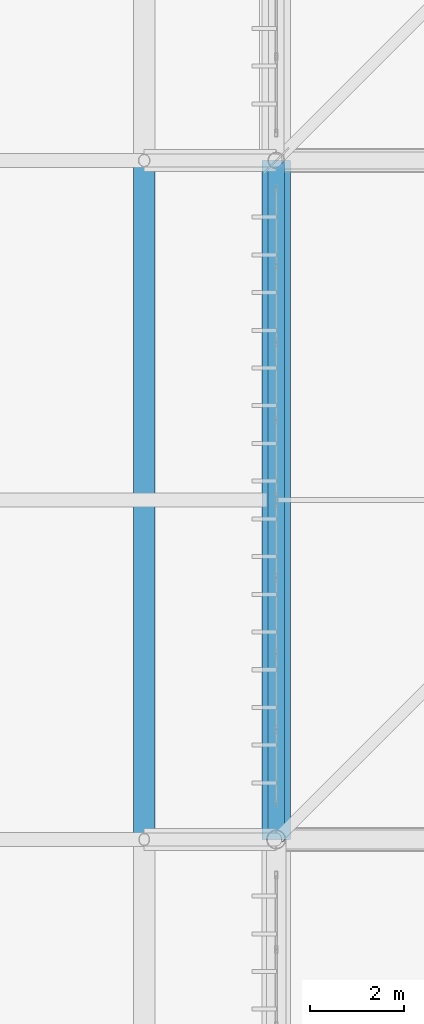
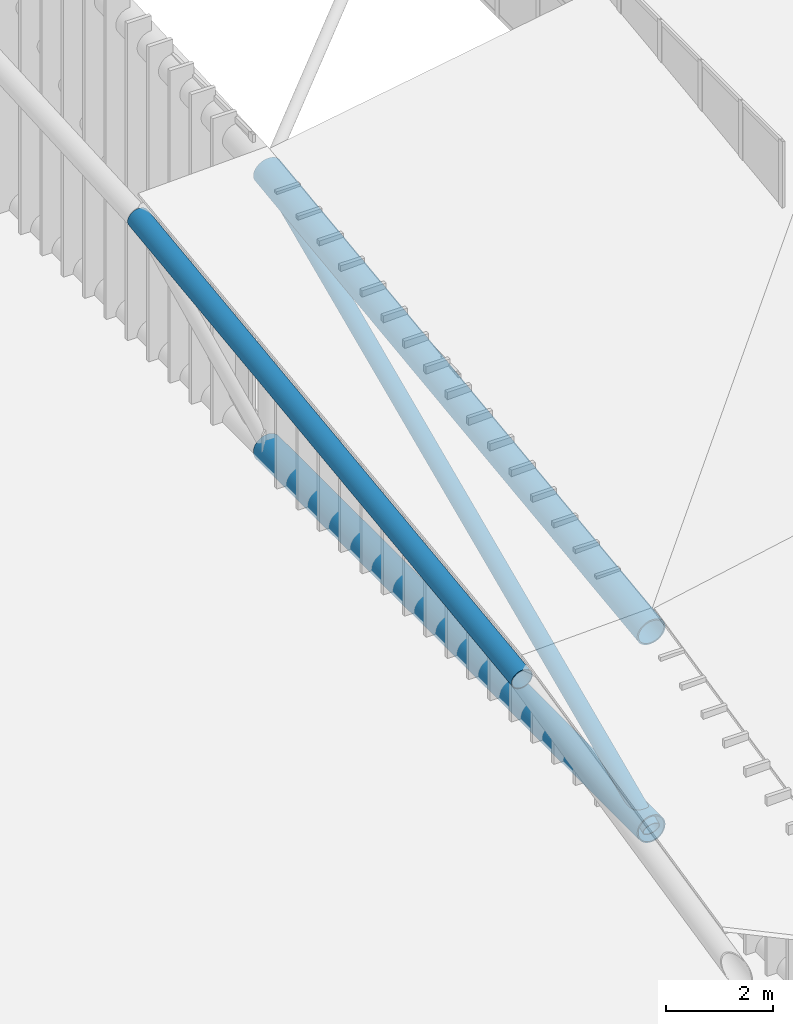
# One storey, part 48 of 397: 3 beams, 1 member.
"""IFC4 building model written with IfcOpenShell, lengths in metres."""

from ifc_helpers import new_model, si_unit, direction, frame, origin, origin_2d, place, context, subcontext, project, spatial, hollow_circle, extrude, material, material_profile, profile_set, type_object, element, save


model = new_model("IFC4")

# Units and contexts
model_context = context("Model", 3, precision=1e-05, world=origin(), true_north=direction((0.0, 1.0)))
body_context = subcontext(model_context, "Body", "Model", "MODEL_VIEW")
ifc_project = project(units=[si_unit("LENGTHUNIT", "METRE"), si_unit("AREAUNIT", "SQUARE_METRE"), si_unit("VOLUMEUNIT", "CUBIC_METRE"), si_unit("PLANEANGLEUNIT", "RADIAN"), si_unit("MASSUNIT", "GRAM", prefix="KILO")], contexts=[model_context])

# Site, building, storey
site_placement = place(None, origin())
site = spatial("IfcSite", under=ifc_project, at=site_placement, CompositionType="ELEMENT")
building_placement = place(site_placement, origin())
building = spatial("IfcBuilding", under=site, at=building_placement, Name="Qandorah Velis Arena", CompositionType="ELEMENT")
storey_placement = place(building_placement, frame((0.0, 0.0, 27.5)))
storey = spatial("IfcBuildingStorey", under=building, at=storey_placement, Name="RF", CompositionType="ELEMENT", Elevation=27.5)

# Beams
ifc_material_1 = material(Name="Steel S355", Category="steel")
ifc_material_profile_1 = material_profile(ifc_material_1, hollow_circle(Radius=0.228515625, WallThickness=0.01611328125, at=origin_2d()), Name="CHS 457x16")
ifc_profile_set_1 = profile_set([ifc_material_profile_1], Name="Steel S355")
beam_type_1 = type_object("IfcBeamType", Name="STR-SFC-CHS457X16", PredefinedType="USERDEFINED", material=ifc_profile_set_1)
beam_1_placement = place(storey_placement, frame((11.60009765625, 28.800048828125, 4.50830078125), z_axis=(0.0, 0.991934175559, 0.126754058546), x_axis=(-1.0, 0.0, 0.0)))
element("IfcBeam", 1, at=beam_1_placement, inside=storey, type_object=beam_type_1, Name="Space frame eave fascia ring W-1", ObjectType="ROOF TRUSS", PredefinedType="USERDEFINED", context=body_context, shape_type="SweptSolid", body=[
    extrude(hollow_circle(Radius=0.228515625, WallThickness=0.01611328125, at=origin_2d()), origin(), (0.0, 0.0, 1.0), 14.51708984375),
])
ifc_material_2 = material(Name="Steel S460", Category="steel")
ifc_material_profile_2 = material_profile(ifc_material_2, hollow_circle(Radius=0.304931640625, WallThickness=0.02490234375, at=origin_2d()), Name="CHS 610x25")
ifc_profile_set_2 = profile_set([ifc_material_profile_2], Name="Steel S460")
beam_type_2 = type_object("IfcBeamType", Name="STR-SFC-CHS610X25", PredefinedType="USERDEFINED", material=ifc_profile_set_2)
beam_2_placement = place(storey_placement, frame((14.39990234375, 28.800048828125, 0.10009765625), z_axis=(0.0, 1.0, 0.0), x_axis=(-1.0, 0.0, 0.0)))
element("IfcBeam", 2, at=beam_2_placement, inside=storey, type_object=beam_type_2, Name="Space frame roof truss bottom chord Y 0.1", ObjectType="ROOF TRUSS", PredefinedType="USERDEFINED", context=body_context, shape_type="SweptSolid", body=[
    extrude(hollow_circle(Radius=0.304931640625, WallThickness=0.02490234375, at=origin_2d()), origin(), (0.0, 0.0, 1.0), 14.39990234375),
])
ifc_material_profile_3 = material_profile(ifc_material_2, hollow_circle(Radius=0.304931640625, WallThickness=0.031982421875, at=origin_2d()), Name="CHS 610x32")
ifc_profile_set_3 = profile_set([ifc_material_profile_3], Name="Steel S460")
beam_type_3 = type_object("IfcBeamType", Name="STR-SFC-CHS610X32", PredefinedType="USERDEFINED", material=ifc_profile_set_3)
beam_3_placement = place(storey_placement, frame((14.39990234375, 28.800048828125, 4.6083984375), z_axis=(0.0, 0.991934175559, 0.126754058546), x_axis=(-1.0, 0.0, 0.0)))
element("IfcBeam", 3, at=beam_3_placement, inside=storey, type_object=beam_type_3, Name="Space frame roof truss top chord Y 0.1", ObjectType="ROOF TRUSS", PredefinedType="USERDEFINED", context=body_context, shape_type="SweptSolid", body=[
    extrude(hollow_circle(Radius=0.304931640625, WallThickness=0.031982421875, at=origin_2d()), origin(), (0.0, 0.0, 1.0), 14.51708984375),
])

# Member
ifc_material_profile_4 = material_profile(ifc_material_1, hollow_circle(Radius=0.177734375, WallThickness=0.012451171875, at=origin_2d()), Name="CHS 355.6x12.5")
ifc_profile_set_4 = profile_set([ifc_material_profile_4], Name="Steel S355")
member_type = type_object("IfcMemberType", Name="STR-SFD-CHS355X12", PredefinedType="STRUT", material=ifc_profile_set_4)
member_placement = place(storey_placement, frame((14.39990234375, 28.800048828125, 0.10009765625), z_axis=(0.0, 0.915023590683, 0.403400332788), x_axis=(-1.0, 0.0, 0.0)))
element("IfcMember", 4, at=member_placement, inside=storey, type_object=member_type, Name="Space frame roof diagonal Y 0.1", PredefinedType="STRUT", context=body_context, shape_type="SweptSolid", body=[
    extrude(hollow_circle(Radius=0.177734375, WallThickness=0.012451171875, at=origin_2d()), origin(), (0.0, 0.0, 1.0), 15.7373046875),
])

save(model, "model.ifc")
